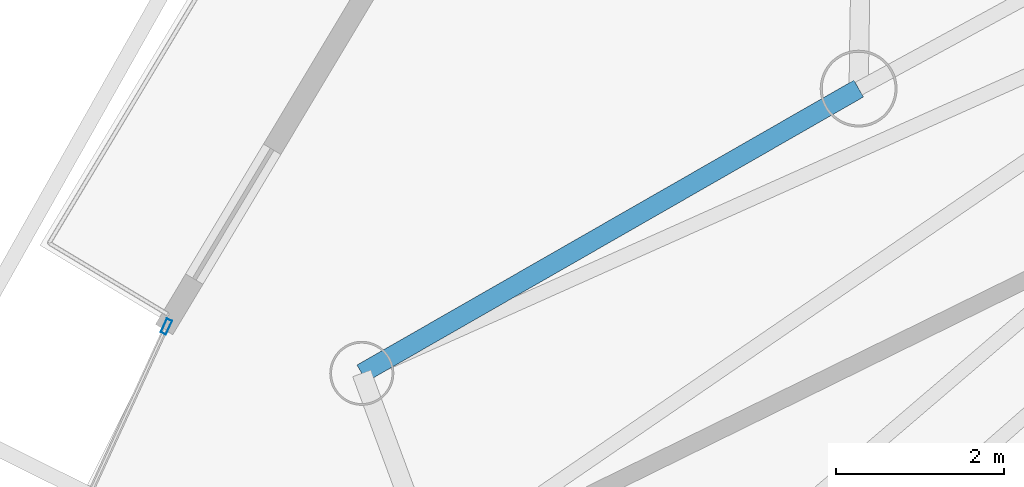
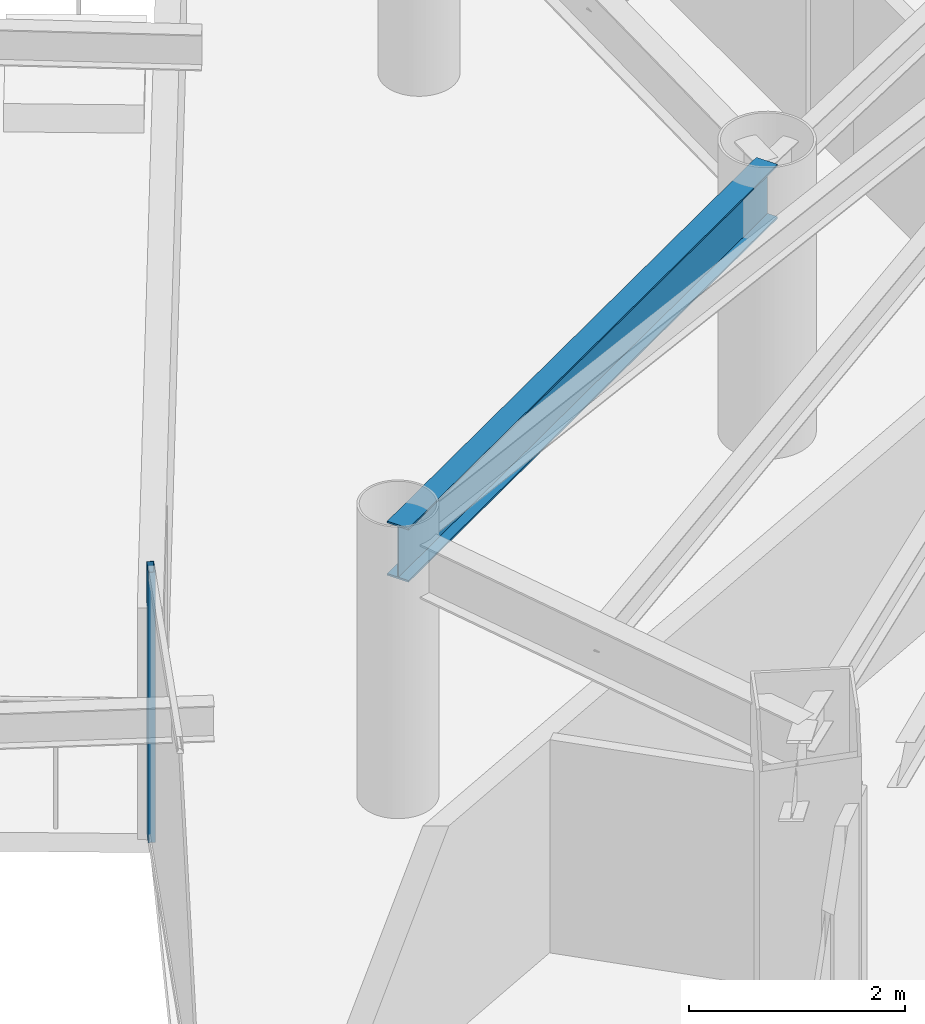
# One storey, part 10 of 35: 1 beam, 1 member, 1 element without a shape of its own.
"""IFC4 building model written with IfcOpenShell, lengths in metres."""

from ifc_helpers import new_model, si_unit, direction, frame, origin, origin_2d, place, context, subcontext, project, spatial, hollow_rectangle, i_section, extrude, material, layer, layer_set, material_profile, profile_set, type_object, element, aggregate, save


model = new_model("IFC4")

# Units and contexts
model_context = context("Model", 3, precision=1e-05, world=origin(), true_north=direction((0.0, 1.0)))
body_context = subcontext(model_context, "Body", "Model", "MODEL_VIEW")
ifc_project = project(units=[si_unit("LENGTHUNIT", "METRE"), si_unit("AREAUNIT", "SQUARE_METRE"), si_unit("VOLUMEUNIT", "CUBIC_METRE"), si_unit("PLANEANGLEUNIT", "RADIAN"), si_unit("MASSUNIT", "GRAM", prefix="KILO")], contexts=[model_context])

# Site, building, storey
site_placement = place(None, origin())
site = spatial("IfcSite", under=ifc_project, at=site_placement, CompositionType="ELEMENT")
building_placement = place(site_placement, origin())
building = spatial("IfcBuilding", under=site, at=building_placement, Name="Orvanel Arch Residences", CompositionType="ELEMENT")
storey_placement = place(building_placement, frame((0.0, 0.0, 36.800048828125)))
storey = spatial("IfcBuildingStorey", under=building, at=storey_placement, Name="L09", CompositionType="ELEMENT", Elevation=36.800048828125)

# Curtain wall, member
ifc_material_1 = material(Name="Bronze-anodised aluminium AA6063-T6", Category="aluminium")
ifc_layer = layer(ifc_material_1, 0.179931640625)
ifc_layer_set = layer_set([ifc_layer], Name="Bronze-anodised aluminium AA6063-T6")
curtain_wall_type = type_object("IfcCurtainWallType", Name="CW2-LOW-SYS", PredefinedType="NOTDEFINED", material=ifc_layer_set)
curtain_wall_placement = place(storey_placement, origin())
curtain_wall = element("IfcCurtainWall", 1, at=curtain_wall_placement, inside=storey, type_object=curtain_wall_type, Name="L09 CW2-LOW-SYS Unitised Curtain Wall", PredefinedType="NOTDEFINED")
ifc_material_profile_1 = material_profile(ifc_material_1, hollow_rectangle(XDim=0.070068359375, YDim=0.179931640625, WallThickness=0.00439453125, at=origin_2d()), Name="ALU180x70x4.5")
ifc_profile_set_1 = profile_set([ifc_material_profile_1], Name="Bronze-anodised aluminium AA6063-T6")
member_type = type_object("IfcMemberType", Name="MUL-180x70", PredefinedType="MULLION", material=ifc_profile_set_1)
member_placement = place(storey_placement, frame((12.33935546875, 24.812255859375, 0.0), z_axis=(0.0, 0.0, 1.0), x_axis=(0.909118333197, -0.416537940944, 0.0)))
member = element("IfcMember", 2, at=member_placement, type_object=member_type, Name="CW-S2 mullion 1", PredefinedType="MULLION", context=body_context, shape_type="SweptSolid", body=[
    extrude(hollow_rectangle(XDim=0.070068359375, YDim=0.179931640625, WallThickness=0.00439453125, at=origin_2d()), origin(), (0.0, 0.0, 1.0), 3.06005859375),
])
aggregate(curtain_wall, [member])

# Beam
ifc_material_2 = material(Name="Structural steel AS/NZS 3679.1 Grade 300 (300 MPa)", Category="steel")
ifc_material_profile_2 = material_profile(ifc_material_2, i_section(OverallWidth=0.22900390625, OverallDepth=0.612060546875, WebThickness=0.011962890625, FlangeThickness=0.01953125, at=origin_2d()), Name="610UB125")
ifc_profile_set_2 = profile_set([ifc_material_profile_2], Name="Structural steel AS/NZS 3679.1 Grade 300 (300 MPa)")
beam_type = type_object("IfcBeamType", Name="SP-610UB", PredefinedType="SPANDREL", material=ifc_profile_set_2)
beam_placement = place(storey_placement, frame((20.569091796875, 27.64111328125, 2.75390625), z_axis=(-0.867635629025, -0.497200578485, 0.0), x_axis=(0.497200578485, -0.867635629025, 0.0)))
element("IfcBeam", 3, at=beam_placement, inside=storey, type_object=beam_type, Name="L09 Perimeter Spandrel Beam 21", PredefinedType="SPANDREL", context=body_context, shape_type="SweptSolid", body=[
    extrude(i_section(OverallWidth=0.22900390625, OverallDepth=0.612060546875, WebThickness=0.011962890625, FlangeThickness=0.01953125, at=origin_2d()), origin(), (0.0, 0.0, 1.0), 6.80810546875),
])

save(model, "model.ifc")
